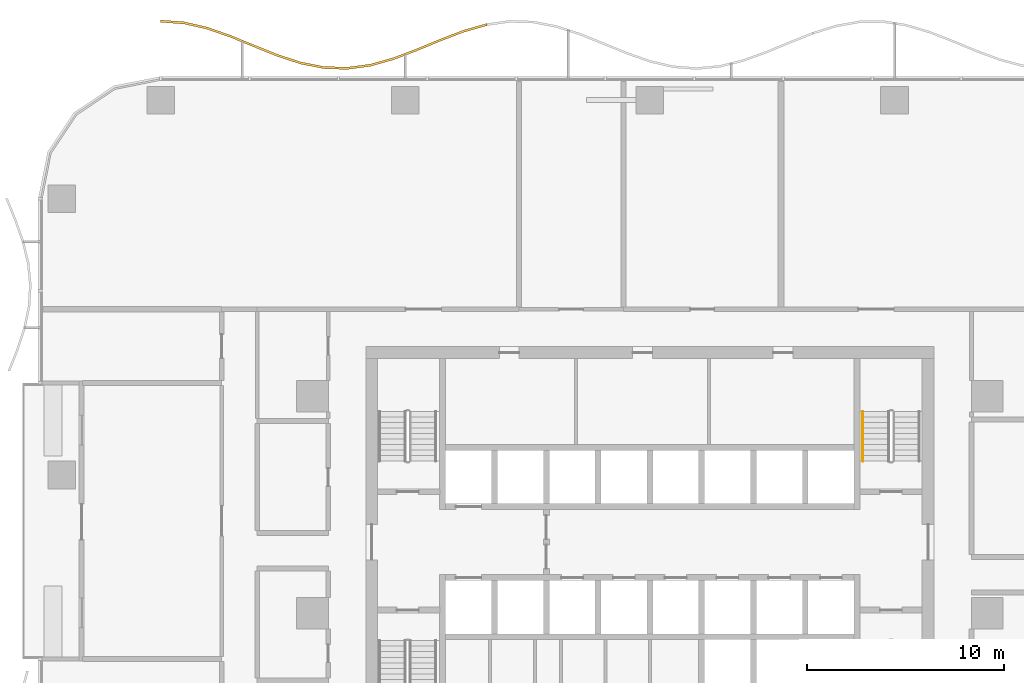
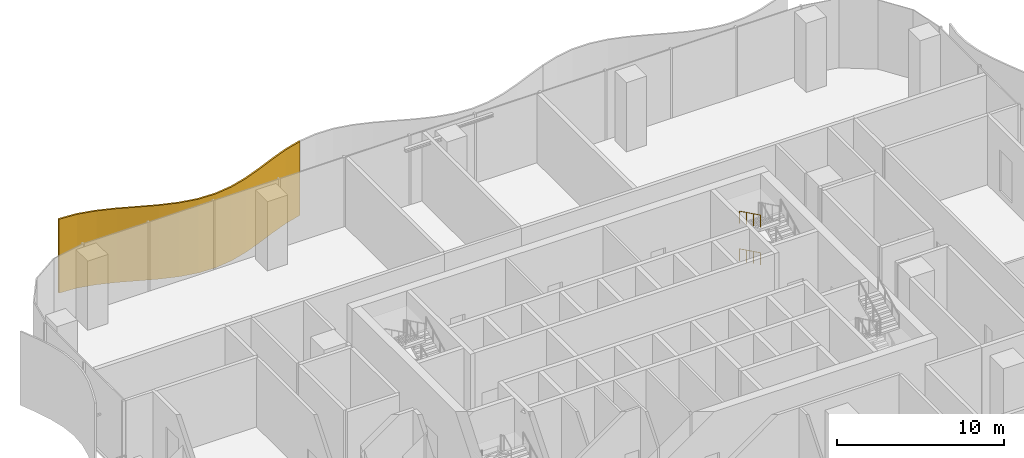
# One storey, part 18 of 20: 2 railings, 1 shading device.
"""IFC4 building model written with IfcOpenShell, lengths in metres."""

from ifc_helpers import new_model, si_unit, direction, frame, origin, origin_2d, place, context, subcontext, project, spatial, polyline, circle, outline, extrude, material, layer, layer_set, type_object, element, save


model = new_model("IFC4")

# Units and contexts
model_context = context("Model", 3, precision=1e-05, world=origin(), true_north=direction((0.0, 1.0)))
body_context = subcontext(model_context, "Body", "Model", "MODEL_VIEW")
ifc_project = project(units=[si_unit("LENGTHUNIT", "METRE"), si_unit("AREAUNIT", "SQUARE_METRE"), si_unit("VOLUMEUNIT", "CUBIC_METRE"), si_unit("PLANEANGLEUNIT", "RADIAN"), si_unit("MASSUNIT", "GRAM", prefix="KILO")], contexts=[model_context])

# Site, building, storey
site_placement = place(None, origin())
site = spatial("IfcSite", under=ifc_project, at=site_placement, CompositionType="ELEMENT")
building_placement = place(site_placement, origin())
building = spatial("IfcBuilding", under=site, at=building_placement, Name="Mopane Tessera Tower", CompositionType="ELEMENT")
storey_placement = place(building_placement, frame((0.0, 0.0, 25.5)))
storey = spatial("IfcBuildingStorey", under=building, at=storey_placement, Name="L04", CompositionType="ELEMENT", Elevation=25.5)

# Railings
ifc_material_1 = material(Name="Powder-coated steel balustrade", Category="steel")
railing_type = type_object("IfcRailingType", Name="Escape stair handrail 900 mm", PredefinedType="HANDRAIL", material=ifc_material_1)
for number, where, name in (
    (1, (10.800048828125, 10.219970703125, 1.512451171875), "L04 ST4 stair handrail 2"),
    (2, (10.800048828125, 10.219970703125, 4.262451171875), "L04 ST4 stair handrail 4"),
):
    element("IfcRailing", number, at=place(storey_placement, frame(where)), inside=storey, type_object=railing_type, Name=name, PredefinedType="HANDRAIL", context=body_context, shape_type="SweptSolid", body=[
        extrude(circle(Radius=0.02392578125, at=origin_2d()), frame((0.0, 0.0, 0.8759765625), z_axis=(0.0, -0.897604431175, 0.440801866075), x_axis=(1.0, 0.0, 0.0)), (0.0, 0.0, 1.0), 2.807373046875),
        extrude(circle(Radius=0.02099609375, at=origin_2d()), origin(), (0.0, 0.0, 1.0), 0.851806640625),
        extrude(circle(Radius=0.02099609375, at=origin_2d()), frame((0.0, -0.840087890625, 0.41259765625)), (0.0, 0.0, 1.0), 0.851806640625),
        extrude(circle(Radius=0.02099609375, at=origin_2d()), frame((0.0, -1.679931640625, 0.824951171875)), (0.0, 0.0, 1.0), 0.851806640625),
        extrude(circle(Radius=0.02099609375, at=origin_2d()), frame((0.0, -2.52001953125, 1.237548828125)), (0.0, 0.0, 1.0), 0.851806640625),
    ])

# Shading device
ifc_material_2 = material(Name="Anodised aluminium louvre blades", Category="aluminium")
ifc_layer = layer(ifc_material_2, 0.1201171875)
ifc_layer_set = layer_set([ifc_layer], Name="Anodised aluminium louvre blades")
shading_device_type = type_object("IfcShadingDeviceType", Name="Wave louvre screen", PredefinedType="JALOUSIE", material=ifc_layer_set)
shading_device_placement = place(storey_placement, frame((0.0, 0.0, -0.340087890625)))
element("IfcShadingDevice", 3, at=shading_device_placement, inside=storey, type_object=shading_device_type, Name="e:lv:L04:N:2", PredefinedType="JALOUSIE", context=body_context, shape_type="SweptSolid", body=[
    extrude(outline(polyline([(-8.2666015625, 29.764892578125), (-9.447509765625, 29.42919921875), (-10.628662109375, 28.977783203125), (-11.8095703125, 28.486572265625), (-12.990478515625, 28.037841796875), (-14.17138671875, 27.706787109375), (-15.352294921875, 27.548828125), (-16.533447265625, 27.59033203125), (-17.71435546875, 27.82470703125), (-18.895263671875, 28.212158203125), (-20.076171875, 28.688232421875), (-21.257080078125, 29.1728515625), (-22.43798828125, 29.5849609375), (-23.619140625, 29.85546875), (-24.800048828125, 29.939208984375), (-24.800048828125, 30.059326171875), (-23.619140625, 29.9755859375), (-22.43798828125, 29.705078125), (-21.257080078125, 29.292724609375), (-20.076171875, 28.80810546875), (-18.895263671875, 28.332275390625), (-17.71435546875, 27.944580078125), (-16.533447265625, 27.71044921875), (-15.352294921875, 27.668701171875), (-14.17138671875, 27.826904296875), (-12.990478515625, 28.157958984375), (-11.8095703125, 28.606689453125), (-10.628662109375, 29.09765625), (-9.447509765625, 29.549072265625), (-8.2666015625, 29.885009765625), (-8.2666015625, 29.764892578125)])), origin(), (0.0, 0.0, 1.0), 5.39013671875),
])

save(model, "model.ifc")
